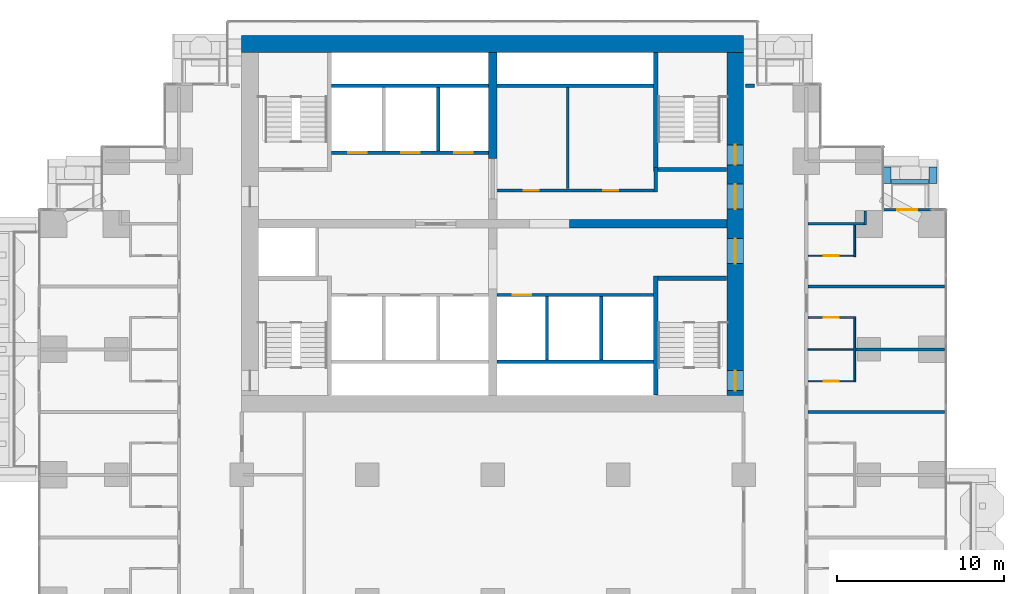
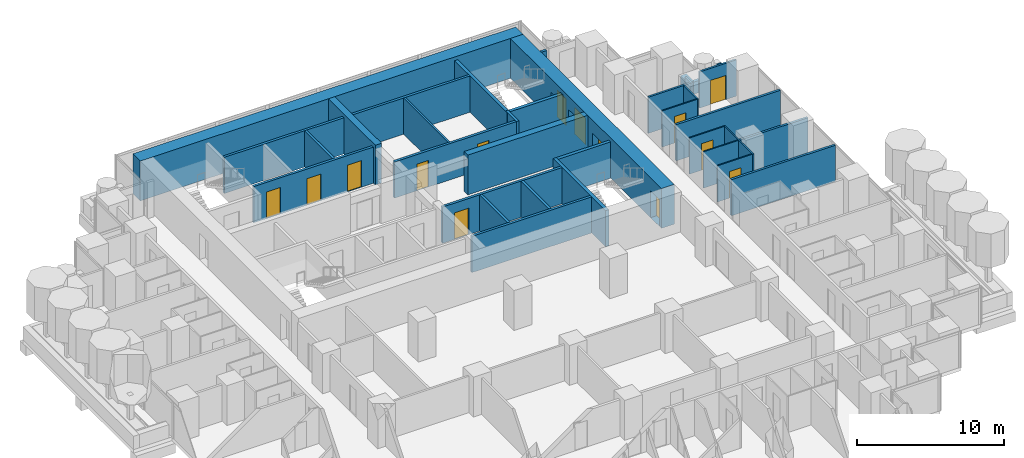
# One storey, part 14 of 18: 35 walls, 14 doors, 14 openings.
"""IFC4 building model written with IfcOpenShell, lengths in metres."""

from ifc_helpers import new_model, si_unit, direction, frame, frame_2d, origin, place, context, subcontext, project, spatial, rectangle, extrude, material, layer, layer_set, type_object, element, fill, save


model = new_model("IFC4")

# Units and contexts
model_context = context("Model", 3, precision=1e-05, world=origin(), true_north=direction((0.0, 1.0)))
body_context = subcontext(model_context, "Body", "Model", "MODEL_VIEW")
ifc_project = project(units=[si_unit("LENGTHUNIT", "METRE"), si_unit("AREAUNIT", "SQUARE_METRE"), si_unit("VOLUMEUNIT", "CUBIC_METRE"), si_unit("PLANEANGLEUNIT", "RADIAN"), si_unit("MASSUNIT", "GRAM", prefix="KILO")], contexts=[model_context])

# Site, building, storey
site_placement = place(None, origin())
site = spatial("IfcSite", under=ifc_project, at=site_placement, CompositionType="ELEMENT")
building_placement = place(site_placement, origin())
building = spatial("IfcBuilding", under=site, at=building_placement, Name="Pilkhan Gate Tower", CompositionType="ELEMENT")
storey_placement = place(building_placement, frame((0.0, 0.0, 42.800048828125)))
storey = spatial("IfcBuildingStorey", under=building, at=storey_placement, Name="L07", CompositionType="ELEMENT", Elevation=42.800048828125)

# Walls
ifc_material_1 = material(Name="Dense blockwork", Category="masonry")
ifc_layer_1 = layer(ifc_material_1, 0.175048828125)
ifc_layer_set_1 = layer_set([ifc_layer_1], Name="Acoustic party wall PW175")
wall_type_1 = type_object("IfcWallType", Name="Acoustic party wall PW175", PredefinedType="PARTITIONING", material=ifc_layer_set_1)
wall_1_placement = place(storey_placement, frame((93.85009765625, 71.25, 0.0), z_axis=(0.0, 0.0, 1.0), x_axis=(1.0, 0.0, 0.0)))
element("IfcWall", 1, at=wall_1_placement, inside=storey, type_object=wall_type_1, Name="Partition L07", PredefinedType="PARTITIONING", context=body_context, shape_type="SweptSolid", body=[
    extrude(rectangle(XDim=8.164794921875, YDim=0.175048828125, at=frame_2d((4.08251953125, 0.0))), origin(), (0.0, 0.0, 1.0), 3.0),
])
wall_2_placement = place(storey_placement, frame((96.699951171875, 75.0, 0.0), z_axis=(0.0, 0.0, 1.0), x_axis=(1.0, 0.0, 0.0)))
element("IfcWall", 2, at=wall_2_placement, inside=storey, type_object=wall_type_1, Name="Partition L07", PredefinedType="PARTITIONING", context=body_context, shape_type="SweptSolid", body=[
    extrude(rectangle(XDim=5.31494140625, YDim=0.175048828125, at=frame_2d((2.657470703125, 0.0))), origin(), (0.0, 0.0, 1.0), 3.0),
])
wall_3_placement = place(storey_placement, frame((93.85009765625, 78.75, 0.0), z_axis=(0.0, 0.0, 1.0), x_axis=(1.0, 0.0, 0.0)))
element("IfcWall", 3, at=wall_3_placement, inside=storey, type_object=wall_type_1, Name="Partition L07", PredefinedType="PARTITIONING", context=body_context, shape_type="SweptSolid", body=[
    extrude(rectangle(XDim=8.164794921875, YDim=0.175048828125, at=frame_2d((4.08251953125, 0.0))), origin(), (0.0, 0.0, 1.0), 3.0),
])
ifc_material_2 = material(Name="Concrete C40/50", Category="concrete")
ifc_layer_2 = layer(ifc_material_2, 0.25)
ifc_layer_set_2 = layer_set([ifc_layer_2], Name="Balcony planter BP250")
wall_type_2 = type_object("IfcWallType", Name="Balcony planter BP250", PredefinedType="USERDEFINED", material=ifc_layer_set_2)
wall_4_placement = place(storey_placement, frame((98.820068359375, 85.02490234375, 0.0), z_axis=(0.0, 0.0, 1.0), x_axis=(1.0, 0.0, 0.0)))
element("IfcWall", 4, at=wall_4_placement, inside=storey, type_object=wall_type_2, Name="Balcony planter L07 N", ObjectType="BALCONY PLANTER", PredefinedType="USERDEFINED", context=body_context, shape_type="SweptSolid", body=[
    extrude(rectangle(XDim=2.280029296875, YDim=0.25, at=frame_2d((1.14013671875, 0.0))), origin(), (0.0, 0.0, 1.0), 1.0),
])
ifc_material_3 = material(Name="Board-marked Concrete C40/50", Category="concrete")
ifc_layer_3 = layer(ifc_material_3, 0.449951171875)
ifc_layer_set_3 = layer_set([ifc_layer_3], Name="Balcony planter lip BL450")
wall_type_3 = type_object("IfcWallType", Name="Balcony planter lip BL450", PredefinedType="USERDEFINED", material=ifc_layer_set_3)
for number, where, z_axis, x_axis, name in (
    (5, (98.594970703125, 84.89990234375, 0.0), (0.0, 0.0, 1.0), (0.0, 1.0, 0.0), "Balcony planter L07 N"),
    (6, (101.324951171875, 84.89990234375, 0.0), (0.0, 0.0, 1.0), (0.0, 1.0, 0.0), "Balcony planter L07 N"),
):
    element("IfcWall", number, at=place(storey_placement, frame(where, z_axis=z_axis, x_axis=x_axis)), inside=storey, type_object=wall_type_3, Name=name, ObjectType="BALCONY PLANTER", PredefinedType="USERDEFINED", context=body_context, shape_type="SweptSolid", body=[
        extrude(rectangle(XDim=1.0, YDim=0.449951171875, at=frame_2d((0.5, 0.0))), origin(), (0.0, 0.0, 1.0), 1.099853515625),
    ])

# Wall, openings, doors
ifc_material_4 = material(Name="Concrete C70/85", Category="concrete")
ifc_layer_4 = layer(ifc_material_4, 1.0)
ifc_layer_set_4 = layer_set([ifc_layer_4], Name="Core wall CW1000 C70/85")
wall_type_4 = type_object("IfcWallType", Name="Core wall CW1000 C70/85", PredefinedType="SHEAR", material=ifc_layer_set_4)
wall_5_placement = place(storey_placement, frame((89.5, 72.25, 0.0), z_axis=(0.0, 0.0, 1.0), x_axis=(0.0, 1.0, 0.0)))
wall_5 = element("IfcWall", 7, at=wall_5_placement, inside=storey, type_object=wall_type_4, Name="Core wall E L07", PredefinedType="SHEAR", context=body_context, shape_type="SweptSolid", body=[
    extrude(rectangle(XDim=20.5, YDim=1.0, at=frame_2d((10.25, 0.0))), origin(), (0.0, 0.0, 1.0), 3.300048828125),
])
opening_1_placement = place(wall_5_placement, frame((0.27490234375, 0.0, 0.0)))
opening_1 = element("IfcOpeningElement", 8, at=opening_1_placement, cuts=wall_5, Name="Opening L07-03", PredefinedType="OPENING", context=body_context, shape_type="SweptSolid", body=[
    extrude(rectangle(XDim=1.199951171875, YDim=2.199951171875, at=frame_2d((0.60009765625, 1.10009765625))), frame((0.0, 0.510009765625, 0.0), z_axis=(0.0, -1.0, 0.0), x_axis=(1.0, 0.0, 0.0)), (0.0, 0.0, 1.0), 1.02001953125),
])
opening_2_placement = place(wall_5_placement, frame((13.77490234375, 0.0, 0.0)))
opening_2 = element("IfcOpeningElement", 9, at=opening_2_placement, cuts=wall_5, Name="Opening L07-05", PredefinedType="OPENING", context=body_context, shape_type="SweptSolid", body=[
    extrude(rectangle(XDim=1.199951171875, YDim=2.199951171875, at=frame_2d((0.60009765625, 1.10009765625))), frame((0.0, 0.510009765625, 0.0), z_axis=(0.0, -1.0, 0.0), x_axis=(1.0, 0.0, 0.0)), (0.0, 0.0, 1.0), 1.02001953125),
])
opening_3_placement = place(wall_5_placement, frame((7.875, 0.0, 0.0)))
opening_3 = element("IfcOpeningElement", 10, at=opening_3_placement, cuts=wall_5, Name="Opening L07-58", PredefinedType="OPENING", context=body_context, shape_type="SweptSolid", body=[
    extrude(rectangle(XDim=1.5, YDim=2.199951171875, at=frame_2d((0.75, 1.10009765625))), frame((0.0, 0.510009765625, 0.0), z_axis=(0.0, -1.0, 0.0), x_axis=(1.0, 0.0, 0.0)), (0.0, 0.0, 1.0), 1.02001953125),
])
opening_4_placement = place(wall_5_placement, frame((11.125, 0.0, 0.0)))
opening_4 = element("IfcOpeningElement", 11, at=opening_4_placement, cuts=wall_5, Name="Opening L07-60", PredefinedType="OPENING", context=body_context, shape_type="SweptSolid", body=[
    extrude(rectangle(XDim=1.5, YDim=2.199951171875, at=frame_2d((0.75, 1.10009765625))), frame((0.0, 0.510009765625, 0.0), z_axis=(0.0, -1.0, 0.0), x_axis=(1.0, 0.0, 0.0)), (0.0, 0.0, 1.0), 1.02001953125),
])
ifc_material_5 = material(Name="Steel framed glazed door, 60 minute fire resisting", Category="steel")
door_type_1 = type_object("IfcDoorType", Name="Lobby door D09 1500x2200", OperationType="DOUBLE_DOOR_SINGLE_SWING", PredefinedType="DOOR", material=ifc_material_5)
door_1_placement = place(opening_3_placement, origin())
door_1 = element("IfcDoor", 12, at=door_1_placement, inside=storey, type_object=door_type_1, Name="Core door", OperationType="DOUBLE_DOOR_SINGLE_SWING", OverallHeight=2.199951171875, OverallWidth=1.5, PredefinedType="DOOR", context=body_context, shape_type="SweptSolid", body=[
    extrude(rectangle(XDim=1.5, YDim=2.199951171875, at=frame_2d((0.75, 1.10009765625))), frame((0.0, 0.02490234375, 0.0), z_axis=(0.0, -1.0, 0.0), x_axis=(1.0, 0.0, 0.0)), (0.0, 0.0, 1.0), 0.050048828125),
])
fill(opening_3, door_1)
door_2_placement = place(opening_4_placement, origin())
door_2 = element("IfcDoor", 13, at=door_2_placement, inside=storey, type_object=door_type_1, Name="Core door", OperationType="DOUBLE_DOOR_SINGLE_SWING", OverallHeight=2.199951171875, OverallWidth=1.5, PredefinedType="DOOR", context=body_context, shape_type="SweptSolid", body=[
    extrude(rectangle(XDim=1.5, YDim=2.199951171875, at=frame_2d((0.75, 1.10009765625))), frame((0.0, 0.02490234375, 0.0), z_axis=(0.0, -1.0, 0.0), x_axis=(1.0, 0.0, 0.0)), (0.0, 0.0, 1.0), 0.050048828125),
])
fill(opening_4, door_2)
ifc_material_6 = material(Name="Steel door, 120 minute fire resisting, panic bar", Category="steel")
door_type_2 = type_object("IfcDoorType", Name="Stair door D11 1200x2200", OperationType="SINGLE_SWING_LEFT", PredefinedType="DOOR", material=ifc_material_6)
door_3_placement = place(opening_1_placement, origin())
door_3 = element("IfcDoor", 14, at=door_3_placement, inside=storey, type_object=door_type_2, Name="Stair ST1 door", OperationType="SINGLE_SWING_RIGHT", OverallHeight=2.199951171875, OverallWidth=1.199951171875, PredefinedType="DOOR", context=body_context, shape_type="SweptSolid", body=[
    extrude(rectangle(XDim=1.199951171875, YDim=2.199951171875, at=frame_2d((0.60009765625, 1.10009765625))), frame((0.0, 0.02490234375, 0.0), z_axis=(0.0, -1.0, 0.0), x_axis=(1.0, 0.0, 0.0)), (0.0, 0.0, 1.0), 0.050048828125),
])
fill(opening_1, door_3)
door_4_placement = place(opening_2_placement, origin())
door_4 = element("IfcDoor", 15, at=door_4_placement, inside=storey, type_object=door_type_2, Name="Stair ST4 door", OperationType="SINGLE_SWING_LEFT", OverallHeight=2.199951171875, OverallWidth=1.199951171875, PredefinedType="DOOR", context=body_context, shape_type="SweptSolid", body=[
    extrude(rectangle(XDim=1.199951171875, YDim=2.199951171875, at=frame_2d((0.60009765625, 1.10009765625))), frame((0.0, 0.02490234375, 0.0), z_axis=(0.0, -1.0, 0.0), x_axis=(1.0, 0.0, 0.0)), (0.0, 0.0, 1.0), 0.050048828125),
])
fill(opening_2, door_4)

# Walls
wall_6_placement = place(storey_placement, frame((90.0, 93.25, 0.0), z_axis=(0.0, 0.0, 1.0), x_axis=(-1.0, 0.0, 0.0)))
element("IfcWall", 16, at=wall_6_placement, inside=storey, type_object=wall_type_4, Name="Core wall N L07", PredefinedType="SHEAR", context=body_context, shape_type="SweptSolid", body=[
    extrude(rectangle(XDim=30.0, YDim=1.0, at=frame_2d((15.0, 0.0))), origin(), (0.0, 0.0, 1.0), 3.300048828125),
])
ifc_layer_5 = layer(ifc_material_1, 0.199951171875)
ifc_layer_set_5 = layer_set([ifc_layer_5], Name="Corridor wall FW200")
wall_type_5 = type_object("IfcWallType", Name="Corridor wall FW200", PredefinedType="PARTITIONING", material=ifc_layer_set_5)
wall_7_placement = place(storey_placement, frame((90.1201171875, 90.764892578125, 0.0), z_axis=(0.0, 0.0, 1.0), x_axis=(1.0, 0.0, 0.0)))
element("IfcWall", 17, at=wall_7_placement, inside=storey, type_object=wall_type_5, Name="Partition L07", PredefinedType="PARTITIONING", context=body_context, shape_type="SweptSolid", body=[
    extrude(rectangle(XDim=0.52490234375, YDim=0.199951171875, at=frame_2d((0.262451171875, 0.0))), origin(), (0.0, 0.0, 1.0), 3.0),
])

# Wall, opening, door
ifc_material_7 = material(Name="Pale anodised aluminium, clear laminated glazing", Category="aluminium")
ifc_layer_6 = layer(ifc_material_7, 0.14990234375)
ifc_layer_set_6 = layer_set([ifc_layer_6], Name="Facade infill wall IW150")
wall_type_6 = type_object("IfcWallType", Name="Facade infill wall IW150", PredefinedType="SOLIDWALL", material=ifc_layer_set_6)
wall_8_placement = place(storey_placement, frame((98.344970703125, 83.344970703125, 0.0), z_axis=(0.0, 0.0, 1.0), x_axis=(1.0, 0.0, 0.0)))
wall_8 = element("IfcWall", 18, at=wall_8_placement, inside=storey, type_object=wall_type_6, Name="Infill wall L07 N", PredefinedType="SOLIDWALL", context=body_context, shape_type="SweptSolid", body=[
    extrude(rectangle(XDim=2.905029296875, YDim=0.14990234375, at=frame_2d((1.45263671875, 0.0))), origin(), (0.0, 0.0, 1.0), 3.0),
])
opening_5_placement = place(wall_8_placement, frame((0.8525390625, 0.0, 0.0)))
opening_5 = element("IfcOpeningElement", 19, at=opening_5_placement, cuts=wall_8, Name="Opening D1L", PredefinedType="OPENING", context=body_context, shape_type="SweptSolid", body=[
    extrude(rectangle(XDim=1.199951171875, YDim=2.0, at=frame_2d((0.60009765625, 1.0))), frame((0.0, 0.0849609375, 0.0), z_axis=(0.0, -1.0, 0.0), x_axis=(1.0, 0.0, 0.0)), (0.0, 0.0, 1.0), 0.169921875),
])
ifc_material_8 = material(Name="Pale anodised aluminium, clear glazing", Category="aluminium")
door_type_3 = type_object("IfcDoorType", Name="Balcony door D1L 1200x2000", OperationType="SINGLE_SWING_LEFT", PredefinedType="DOOR", material=ifc_material_8)
door_5_placement = place(opening_5_placement, origin())
door_5 = element("IfcDoor", 20, at=door_5_placement, inside=storey, type_object=door_type_3, Name="Balcony door L07", OperationType="SINGLE_SWING_LEFT", OverallHeight=2.0, OverallWidth=1.199951171875, PredefinedType="DOOR", context=body_context, shape_type="SweptSolid", body=[
    extrude(rectangle(XDim=1.199951171875, YDim=2.0, at=frame_2d((0.60009765625, 1.0))), frame((0.0, 0.02490234375, 0.0), z_axis=(0.0, -1.0, 0.0), x_axis=(1.0, 0.0, 0.0)), (0.0, 0.0, 1.0), 0.050048828125),
])
fill(opening_5, door_5)

# Wall, openings, doors
ifc_layer_7 = layer(ifc_material_1, 0.199951171875)
ifc_layer_set_7 = layer_set([ifc_layer_7], Name="Lobby wall LW200")
wall_type_7 = type_object("IfcWallType", Name="Lobby wall LW200", PredefinedType="PARTITIONING", material=ifc_layer_set_7)
wall_9_placement = place(storey_placement, frame((75.10009765625, 84.5, 0.0), z_axis=(0.0, 0.0, 1.0), x_axis=(1.0, 0.0, 0.0)))
wall_9 = element("IfcWall", 21, at=wall_9_placement, inside=storey, type_object=wall_type_7, Name="Partition L07", PredefinedType="PARTITIONING", context=body_context, shape_type="SweptSolid", body=[
    extrude(rectangle(XDim=9.5498046875, YDim=0.199951171875, at=frame_2d((4.77490234375, 0.0))), origin(), (0.0, 0.0, 1.0), 3.0),
])
opening_6_placement = place(wall_9_placement, frame((1.75, 0.0, 0.0)))
opening_6 = element("IfcOpeningElement", 22, at=opening_6_placement, cuts=wall_9, Name="Opening L07-61", PredefinedType="OPENING", context=body_context, shape_type="SweptSolid", body=[
    extrude(rectangle(XDim=0.89990234375, YDim=2.199951171875, at=frame_2d((0.449951171875, 1.10009765625))), frame((0.0, 0.10986328125, 0.0), z_axis=(0.0, -1.0, 0.0), x_axis=(1.0, 0.0, 0.0)), (0.0, 0.0, 1.0), 0.219970703125),
])
opening_7_placement = place(wall_9_placement, frame((6.5, 0.0, 0.0)))
opening_7 = element("IfcOpeningElement", 23, at=opening_7_placement, cuts=wall_9, Name="Opening L07-62", PredefinedType="OPENING", context=body_context, shape_type="SweptSolid", body=[
    extrude(rectangle(XDim=0.89990234375, YDim=2.199951171875, at=frame_2d((0.449951171875, 1.10009765625))), frame((0.0, 0.10986328125, 0.0), z_axis=(0.0, -1.0, 0.0), x_axis=(1.0, 0.0, 0.0)), (0.0, 0.0, 1.0), 0.219970703125),
])
ifc_material_9 = material(Name="Timber flush door, 60 minute fire resisting, self-closing", Category="wood")
door_type_4 = type_object("IfcDoorType", Name="Store door D05 900x2200", OperationType="SINGLE_SWING_LEFT", PredefinedType="DOOR", material=ifc_material_9)
door_6_placement = place(opening_6_placement, origin())
door_6 = element("IfcDoor", 24, at=door_6_placement, inside=storey, type_object=door_type_4, Name="Store door", OperationType="SINGLE_SWING_LEFT", OverallHeight=2.199951171875, OverallWidth=0.89990234375, PredefinedType="DOOR", context=body_context, shape_type="SweptSolid", body=[
    extrude(rectangle(XDim=0.89990234375, YDim=2.199951171875, at=frame_2d((0.449951171875, 1.10009765625))), frame((0.0, 0.02490234375, 0.0), z_axis=(0.0, -1.0, 0.0), x_axis=(1.0, 0.0, 0.0)), (0.0, 0.0, 1.0), 0.050048828125),
])
fill(opening_6, door_6)
door_7_placement = place(opening_7_placement, origin())
door_7 = element("IfcDoor", 25, at=door_7_placement, inside=storey, type_object=door_type_4, Name="Store door", OperationType="SINGLE_SWING_RIGHT", OverallHeight=2.199951171875, OverallWidth=0.89990234375, PredefinedType="DOOR", context=body_context, shape_type="SweptSolid", body=[
    extrude(rectangle(XDim=0.89990234375, YDim=2.199951171875, at=frame_2d((0.449951171875, 1.10009765625))), frame((0.0, 0.02490234375, 0.0), z_axis=(0.0, -1.0, 0.0), x_axis=(1.0, 0.0, 0.0)), (0.0, 0.0, 1.0), 0.050048828125),
])
fill(opening_7, door_7)

# Walls
wall_10_placement = place(storey_placement, frame((75.260009765625, 90.75, 0.0), z_axis=(0.0, 0.0, 1.0), x_axis=(1.0, 0.0, 0.0)))
element("IfcWall", 26, at=wall_10_placement, inside=storey, type_object=wall_type_7, Name="Partition L07", PredefinedType="PARTITIONING", context=body_context, shape_type="SweptSolid", body=[
    extrude(rectangle(XDim=9.364990234375, YDim=0.199951171875, at=frame_2d((4.6826171875, 0.0))), origin(), (0.0, 0.0, 1.0), 3.0),
])
wall_11_placement = place(storey_placement, frame((84.75, 84.39990234375, 0.0), z_axis=(0.0, 0.0, 1.0), x_axis=(0.0, 1.0, 0.0)))
element("IfcWall", 27, at=wall_11_placement, inside=storey, type_object=wall_type_7, Name="Partition L07", PredefinedType="PARTITIONING", context=body_context, shape_type="SweptSolid", body=[
    extrude(rectangle(XDim=1.47509765625, YDim=0.199951171875, at=frame_2d((0.737548828125, 0.0))), origin(), (0.0, 0.0, 1.0), 3.0),
])
ifc_material_10 = material(Name="Blockwork partition, plastered both sides", Category="masonry")
ifc_layer_8 = layer(ifc_material_10, 0.14990234375)
ifc_layer_set_8 = layer_set([ifc_layer_8], Name="Partition PW150")
wall_type_8 = type_object("IfcWallType", Name="Partition PW150", PredefinedType="PARTITIONING", material=ifc_layer_set_8)
wall_12_placement = place(storey_placement, frame((93.85009765625, 82.5, 0.0), z_axis=(0.0, 0.0, 1.0), x_axis=(1.0, 0.0, 0.0)))
element("IfcWall", 28, at=wall_12_placement, inside=storey, type_object=wall_type_8, Name="Partition L07", PredefinedType="PARTITIONING", context=body_context, shape_type="SweptSolid", body=[
    extrude(rectangle(XDim=3.33984375, YDim=0.14990234375, at=frame_2d((1.669921875, 0.0))), origin(), (0.0, 0.0, 1.0), 3.0),
])
wall_13_placement = place(storey_placement, frame((79.5, 84.60009765625, 0.0), z_axis=(0.0, 0.0, 1.0), x_axis=(0.0, 1.0, 0.0)))
element("IfcWall", 29, at=wall_13_placement, inside=storey, type_object=wall_type_8, Name="Partition L07", PredefinedType="PARTITIONING", context=body_context, shape_type="SweptSolid", body=[
    extrude(rectangle(XDim=6.0498046875, YDim=0.14990234375, at=frame_2d((3.02490234375, 0.0))), origin(), (0.0, 0.0, 1.0), 3.0),
])
wall_14_placement = place(storey_placement, frame((97.264892578125, 82.425048828125, 0.0), z_axis=(0.0, 0.0, 1.0), x_axis=(0.0, 1.0, 0.0)))
element("IfcWall", 30, at=wall_14_placement, inside=storey, type_object=wall_type_8, Name="Partition L07", PredefinedType="PARTITIONING", context=body_context, shape_type="SweptSolid", body=[
    extrude(rectangle(XDim=0.83984375, YDim=0.14990234375, at=frame_2d((0.419921875, 0.0))), origin(), (0.0, 0.0, 1.0), 3.0),
])
ifc_material_11 = material(Name="Reinforced blockwork shaft wall, 120 minute fire resisting", Category="masonry")
ifc_layer_9 = layer(ifc_material_11, 0.199951171875)
ifc_layer_set_9 = layer_set([ifc_layer_9], Name="Shaft wall SW200")
wall_type_9 = type_object("IfcWallType", Name="Shaft wall SW200", PredefinedType="PARTITIONING", material=ifc_layer_set_9)
wall_15_placement = place(storey_placement, frame((75.260009765625, 74.25, 0.0), z_axis=(0.0, 0.0, 1.0), x_axis=(1.0, 0.0, 0.0)))
element("IfcWall", 31, at=wall_15_placement, inside=storey, type_object=wall_type_9, Name="Partition L07", PredefinedType="PARTITIONING", context=body_context, shape_type="SweptSolid", body=[
    extrude(rectangle(XDim=9.364990234375, YDim=0.199951171875, at=frame_2d((4.6826171875, 0.0))), origin(), (0.0, 0.0, 1.0), 3.0),
])

# Wall, opening, door
wall_16_placement = place(storey_placement, frame((75.260009765625, 78.25, 0.0), z_axis=(0.0, 0.0, 1.0), x_axis=(1.0, 0.0, 0.0)))
wall_16 = element("IfcWall", 32, at=wall_16_placement, inside=storey, type_object=wall_type_9, Name="Partition L07", PredefinedType="PARTITIONING", context=body_context, shape_type="SweptSolid", body=[
    extrude(rectangle(XDim=9.364990234375, YDim=0.199951171875, at=frame_2d((4.6826171875, 0.0))), origin(), (0.0, 0.0, 1.0), 3.0),
])
opening_8_placement = place(wall_16_placement, frame((0.949951171875, 0.0, 0.0)))
opening_8 = element("IfcOpeningElement", 33, at=opening_8_placement, cuts=wall_16, Name="Opening LD", PredefinedType="OPENING", context=body_context, shape_type="SweptSolid", body=[
    extrude(rectangle(XDim=1.10009765625, YDim=2.199951171875, at=frame_2d((0.550048828125, 1.10009765625))), frame((0.0, 0.10986328125, 0.0), z_axis=(0.0, -1.0, 0.0), x_axis=(1.0, 0.0, 0.0)), (0.0, 0.0, 1.0), 0.219970703125),
])
ifc_material_12 = material(Name="Stainless steel centre-opening landing door, 120 minute fire resisting", Category="steel")
door_type_5 = type_object("IfcDoorType", Name="Lift landing door LD 1100x2200", OperationType="DOUBLE_DOOR_SLIDING", PredefinedType="DOOR", material=ifc_material_12)
door_8_placement = place(opening_8_placement, origin())
door_8 = element("IfcDoor", 34, at=door_8_placement, inside=storey, type_object=door_type_5, Name="Landing door LR4", OperationType="DOUBLE_DOOR_SLIDING", OverallHeight=2.199951171875, OverallWidth=1.10009765625, PredefinedType="DOOR", context=body_context, shape_type="SweptSolid", body=[
    extrude(rectangle(XDim=1.10009765625, YDim=2.199951171875, at=frame_2d((0.550048828125, 1.10009765625))), frame((0.0, 0.02490234375, 0.0), z_axis=(0.0, -1.0, 0.0), x_axis=(1.0, 0.0, 0.0)), (0.0, 0.0, 1.0), 0.050048828125),
])
fill(opening_8, door_8)

# Wall, openings, doors
wall_17_placement = place(storey_placement, frame((65.375, 86.75, 0.0), z_axis=(0.0, 0.0, 1.0), x_axis=(1.0, 0.0, 0.0)))
wall_17 = element("IfcWall", 35, at=wall_17_placement, inside=storey, type_object=wall_type_9, Name="Partition L07", PredefinedType="PARTITIONING", context=body_context, shape_type="SweptSolid", body=[
    extrude(rectangle(XDim=9.364990234375, YDim=0.199951171875, at=frame_2d((4.6826171875, 0.0))), origin(), (0.0, 0.0, 1.0), 3.0),
])
opening_9_placement = place(wall_17_placement, frame((1.0, 0.0, 0.0)))
opening_9 = element("IfcOpeningElement", 36, at=opening_9_placement, cuts=wall_17, Name="Opening LD", PredefinedType="OPENING", context=body_context, shape_type="SweptSolid", body=[
    extrude(rectangle(XDim=1.10009765625, YDim=2.199951171875, at=frame_2d((0.550048828125, 1.10009765625))), frame((0.0, 0.10986328125, 0.0), z_axis=(0.0, -1.0, 0.0), x_axis=(1.0, 0.0, 0.0)), (0.0, 0.0, 1.0), 0.219970703125),
])
opening_10_placement = place(wall_17_placement, frame((4.175048828125, 0.0, 0.0)))
opening_10 = element("IfcOpeningElement", 37, at=opening_10_placement, cuts=wall_17, Name="Opening LD", PredefinedType="OPENING", context=body_context, shape_type="SweptSolid", body=[
    extrude(rectangle(XDim=1.10009765625, YDim=2.199951171875, at=frame_2d((0.550048828125, 1.10009765625))), frame((0.0, 0.10986328125, 0.0), z_axis=(0.0, -1.0, 0.0), x_axis=(1.0, 0.0, 0.0)), (0.0, 0.0, 1.0), 0.219970703125),
])
opening_11_placement = place(wall_17_placement, frame((7.324951171875, 0.0, 0.0)))
opening_11 = element("IfcOpeningElement", 38, at=opening_11_placement, cuts=wall_17, Name="Opening LD", PredefinedType="OPENING", context=body_context, shape_type="SweptSolid", body=[
    extrude(rectangle(XDim=1.10009765625, YDim=2.199951171875, at=frame_2d((0.550048828125, 1.10009765625))), frame((0.0, 0.10986328125, 0.0), z_axis=(0.0, -1.0, 0.0), x_axis=(1.0, 0.0, 0.0)), (0.0, 0.0, 1.0), 0.219970703125),
])
door_9_placement = place(opening_9_placement, origin())
door_9 = element("IfcDoor", 39, at=door_9_placement, inside=storey, type_object=door_type_5, Name="Landing door FF1", OperationType="DOUBLE_DOOR_SLIDING", OverallHeight=2.199951171875, OverallWidth=1.10009765625, PredefinedType="DOOR", context=body_context, shape_type="SweptSolid", body=[
    extrude(rectangle(XDim=1.10009765625, YDim=2.199951171875, at=frame_2d((0.550048828125, 1.10009765625))), frame((0.0, 0.02490234375, 0.0), z_axis=(0.0, -1.0, 0.0), x_axis=(1.0, 0.0, 0.0)), (0.0, 0.0, 1.0), 0.050048828125),
])
fill(opening_9, door_9)
door_10_placement = place(opening_10_placement, origin())
door_10 = element("IfcDoor", 40, at=door_10_placement, inside=storey, type_object=door_type_5, Name="Landing door FF2", OperationType="DOUBLE_DOOR_SLIDING", OverallHeight=2.199951171875, OverallWidth=1.10009765625, PredefinedType="DOOR", context=body_context, shape_type="SweptSolid", body=[
    extrude(rectangle(XDim=1.10009765625, YDim=2.199951171875, at=frame_2d((0.550048828125, 1.10009765625))), frame((0.0, 0.02490234375, 0.0), z_axis=(0.0, -1.0, 0.0), x_axis=(1.0, 0.0, 0.0)), (0.0, 0.0, 1.0), 0.050048828125),
])
fill(opening_10, door_10)
door_11_placement = place(opening_11_placement, origin())
door_11 = element("IfcDoor", 41, at=door_11_placement, inside=storey, type_object=door_type_5, Name="Landing door SV1", OperationType="DOUBLE_DOOR_SLIDING", OverallHeight=2.199951171875, OverallWidth=1.10009765625, PredefinedType="DOOR", context=body_context, shape_type="SweptSolid", body=[
    extrude(rectangle(XDim=1.10009765625, YDim=2.199951171875, at=frame_2d((0.550048828125, 1.10009765625))), frame((0.0, 0.02490234375, 0.0), z_axis=(0.0, -1.0, 0.0), x_axis=(1.0, 0.0, 0.0)), (0.0, 0.0, 1.0), 0.050048828125),
])
fill(opening_11, door_11)

# Walls
wall_18_placement = place(storey_placement, frame((65.375, 90.75, 0.0), z_axis=(0.0, 0.0, 1.0), x_axis=(1.0, 0.0, 0.0)))
element("IfcWall", 42, at=wall_18_placement, inside=storey, type_object=wall_type_9, Name="Partition L07", PredefinedType="PARTITIONING", context=body_context, shape_type="SweptSolid", body=[
    extrude(rectangle(XDim=9.364990234375, YDim=0.199951171875, at=frame_2d((4.6826171875, 0.0))), origin(), (0.0, 0.0, 1.0), 3.0),
])
for number, where, z_axis, x_axis, name in (
    (43, (71.75, 86.85009765625, 0.0), (0.0, 0.0, 1.0), (0.0, 1.0, 0.0), "Partition L07"),
    (44, (78.25, 74.35009765625, 0.0), (0.0, 0.0, 1.0), (0.0, 1.0, 0.0), "Partition L07"),
    (45, (81.5, 74.35009765625, 0.0), (0.0, 0.0, 1.0), (0.0, 1.0, 0.0), "Partition L07"),
):
    element("IfcWall", number, at=place(storey_placement, frame(where, z_axis=z_axis, x_axis=x_axis)), inside=storey, type_object=wall_type_9, Name=name, PredefinedType="PARTITIONING", context=body_context, shape_type="SweptSolid", body=[
        extrude(rectangle(XDim=3.7998046875, YDim=0.199951171875, at=frame_2d((1.89990234375, 0.0))), origin(), (0.0, 0.0, 1.0), 3.0),
    ])
ifc_layer_10 = layer(ifc_material_4, 0.5)
ifc_layer_set_10 = layer_set([ifc_layer_10], Name="Spine wall SW500 C70/85")
wall_type_10 = type_object("IfcWallType", Name="Spine wall SW500 C70/85", PredefinedType="SHEAR", material=ifc_layer_set_10)
wall_19_placement = place(storey_placement, frame((79.60009765625, 82.5, 0.0), z_axis=(0.0, 0.0, 1.0), x_axis=(1.0, 0.0, 0.0)))
element("IfcWall", 46, at=wall_19_placement, inside=storey, type_object=wall_type_10, Name="Spine wall SP-EW3 L07", PredefinedType="SHEAR", context=body_context, shape_type="SweptSolid", body=[
    extrude(rectangle(XDim=9.39990234375, YDim=0.5, at=frame_2d((4.699951171875, 0.0))), origin(), (0.0, 0.0, 1.0), 3.300048828125),
])
wall_20_placement = place(storey_placement, frame((75.0, 86.39990234375, 0.0), z_axis=(0.0, 0.0, 1.0), x_axis=(0.0, 1.0, 0.0)))
element("IfcWall", 47, at=wall_20_placement, inside=storey, type_object=wall_type_10, Name="Spine wall SP-NS-N2 L07", PredefinedType="SHEAR", context=body_context, shape_type="SweptSolid", body=[
    extrude(rectangle(XDim=6.35009765625, YDim=0.5, at=frame_2d((3.175048828125, 0.0))), origin(), (0.0, 0.0, 1.0), 3.300048828125),
])
ifc_material_13 = material(Name="Reinforced blockwork, 120 minute fire resisting", Category="masonry")
ifc_layer_11 = layer(ifc_material_13, 0.25)
ifc_layer_set_11 = layer_set([ifc_layer_11], Name="Stair enclosure wall SE250")
wall_type_11 = type_object("IfcWallType", Name="Stair enclosure wall SE250", PredefinedType="PARTITIONING", material=ifc_layer_set_11)
for number, where, z_axis, x_axis, name in (
    (48, (84.875, 79.25, 0.0), (0.0, 0.0, 1.0), (1.0, 0.0, 0.0), "Partition L07"),
    (49, (84.875, 85.75, 0.0), (0.0, 0.0, 1.0), (1.0, 0.0, 0.0), "Partition L07"),
):
    element("IfcWall", number, at=place(storey_placement, frame(where, z_axis=z_axis, x_axis=x_axis)), inside=storey, type_object=wall_type_11, Name=name, PredefinedType="PARTITIONING", context=body_context, shape_type="SweptSolid", body=[
        extrude(rectangle(XDim=4.114990234375, YDim=0.25, at=frame_2d((2.0576171875, 0.0))), origin(), (0.0, 0.0, 1.0), 3.0),
    ])
for number, where, z_axis, x_axis, name in (
    (50, (84.75, 72.260009765625, 0.0), (0.0, 0.0, 1.0), (0.0, 1.0, 0.0), "Partition L07"),
    (51, (84.75, 85.625, 0.0), (0.0, 0.0, 1.0), (0.0, 1.0, 0.0), "Partition L07"),
):
    element("IfcWall", number, at=place(storey_placement, frame(where, z_axis=z_axis, x_axis=x_axis)), inside=storey, type_object=wall_type_11, Name=name, PredefinedType="PARTITIONING", context=body_context, shape_type="SweptSolid", body=[
        extrude(rectangle(XDim=7.114990234375, YDim=0.25, at=frame_2d((3.5576171875, 0.0))), origin(), (0.0, 0.0, 1.0), 3.0),
    ])

# Wall, opening, door
ifc_material_14 = material(Name="Moisture resistant board, tiled")
ifc_layer_12 = layer(ifc_material_14, 0.10009765625)
ifc_layer_set_12 = layer_set([ifc_layer_12], Name="Wet wall PW100")
wall_type_12 = type_object("IfcWallType", Name="Wet wall PW100", PredefinedType="PARTITIONING", material=ifc_layer_set_12)
wall_21_placement = place(storey_placement, frame((93.85009765625, 73.10009765625, 0.0), z_axis=(0.0, 0.0, 1.0), x_axis=(1.0, 0.0, 0.0)))
wall_21 = element("IfcWall", 52, at=wall_21_placement, inside=storey, type_object=wall_type_12, Name="Partition L07", PredefinedType="PARTITIONING", context=body_context, shape_type="SweptSolid", body=[
    extrude(rectangle(XDim=2.75, YDim=0.10009765625, at=frame_2d((1.375, 0.0))), origin(), (0.0, 0.0, 1.0), 3.0),
])
opening_12_placement = place(wall_21_placement, frame((0.949951171875, 0.0, 0.0)))
opening_12 = element("IfcOpeningElement", 53, at=opening_12_placement, cuts=wall_21, Name="Opening L07-53", PredefinedType="OPENING", context=body_context, shape_type="SweptSolid", body=[
    extrude(rectangle(XDim=0.89990234375, YDim=2.199951171875, at=frame_2d((0.449951171875, 1.10009765625))), frame((0.0, 0.06005859375, 0.0), z_axis=(0.0, -1.0, 0.0), x_axis=(1.0, 0.0, 0.0)), (0.0, 0.0, 1.0), 0.1201171875),
])
ifc_material_15 = material(Name="Timber flush door", Category="wood")
door_type_6 = type_object("IfcDoorType", Name="Bathroom door D02 900x2200", OperationType="SINGLE_SWING_RIGHT", PredefinedType="DOOR", material=ifc_material_15)
door_12_placement = place(opening_12_placement, origin())
door_12 = element("IfcDoor", 54, at=door_12_placement, inside=storey, type_object=door_type_6, Name="Bathroom door", OperationType="SINGLE_SWING_RIGHT", OverallHeight=2.199951171875, OverallWidth=0.89990234375, PredefinedType="DOOR", context=body_context, shape_type="SweptSolid", body=[
    extrude(rectangle(XDim=0.89990234375, YDim=2.199951171875, at=frame_2d((0.449951171875, 1.10009765625))), frame((0.0, 0.02490234375, 0.0), z_axis=(0.0, -1.0, 0.0), x_axis=(1.0, 0.0, 0.0)), (0.0, 0.0, 1.0), 0.050048828125),
])
fill(opening_12, door_12)

# Wall
wall_22_placement = place(storey_placement, frame((93.85009765625, 75.0, 0.0), z_axis=(0.0, 0.0, 1.0), x_axis=(1.0, 0.0, 0.0)))
element("IfcWall", 55, at=wall_22_placement, inside=storey, type_object=wall_type_12, Name="Partition L07", PredefinedType="PARTITIONING", context=body_context, shape_type="SweptSolid", body=[
    extrude(rectangle(XDim=2.75, YDim=0.10009765625, at=frame_2d((1.375, 0.0))), origin(), (0.0, 0.0, 1.0), 3.0),
])

# Wall, opening, door
wall_23_placement = place(storey_placement, frame((93.85009765625, 76.89990234375, 0.0), z_axis=(0.0, 0.0, 1.0), x_axis=(1.0, 0.0, 0.0)))
wall_23 = element("IfcWall", 56, at=wall_23_placement, inside=storey, type_object=wall_type_12, Name="Partition L07", PredefinedType="PARTITIONING", context=body_context, shape_type="SweptSolid", body=[
    extrude(rectangle(XDim=2.75, YDim=0.10009765625, at=frame_2d((1.375, 0.0))), origin(), (0.0, 0.0, 1.0), 3.0),
])
opening_13_placement = place(wall_23_placement, frame((0.949951171875, 0.0, 0.0)))
opening_13 = element("IfcOpeningElement", 57, at=opening_13_placement, cuts=wall_23, Name="Opening L07-55", PredefinedType="OPENING", context=body_context, shape_type="SweptSolid", body=[
    extrude(rectangle(XDim=0.89990234375, YDim=2.199951171875, at=frame_2d((0.449951171875, 1.10009765625))), frame((0.0, 0.06005859375, 0.0), z_axis=(0.0, -1.0, 0.0), x_axis=(1.0, 0.0, 0.0)), (0.0, 0.0, 1.0), 0.1201171875),
])
door_13_placement = place(opening_13_placement, origin())
door_13 = element("IfcDoor", 58, at=door_13_placement, inside=storey, type_object=door_type_6, Name="Bathroom door", OperationType="SINGLE_SWING_RIGHT", OverallHeight=2.199951171875, OverallWidth=0.89990234375, PredefinedType="DOOR", context=body_context, shape_type="SweptSolid", body=[
    extrude(rectangle(XDim=0.89990234375, YDim=2.199951171875, at=frame_2d((0.449951171875, 1.10009765625))), frame((0.0, 0.02490234375, 0.0), z_axis=(0.0, -1.0, 0.0), x_axis=(1.0, 0.0, 0.0)), (0.0, 0.0, 1.0), 0.050048828125),
])
fill(opening_13, door_13)

wall_24_placement = place(storey_placement, frame((93.85009765625, 80.60009765625, 0.0), z_axis=(0.0, 0.0, 1.0), x_axis=(1.0, 0.0, 0.0)))
wall_24 = element("IfcWall", 59, at=wall_24_placement, inside=storey, type_object=wall_type_12, Name="Partition L07", PredefinedType="PARTITIONING", context=body_context, shape_type="SweptSolid", body=[
    extrude(rectangle(XDim=2.75, YDim=0.10009765625, at=frame_2d((1.375, 0.0))), origin(), (0.0, 0.0, 1.0), 3.0),
])
opening_14_placement = place(wall_24_placement, frame((0.949951171875, 0.0, 0.0)))
opening_14 = element("IfcOpeningElement", 60, at=opening_14_placement, cuts=wall_24, Name="Opening L07-57", PredefinedType="OPENING", context=body_context, shape_type="SweptSolid", body=[
    extrude(rectangle(XDim=0.89990234375, YDim=2.199951171875, at=frame_2d((0.449951171875, 1.10009765625))), frame((0.0, 0.06005859375, 0.0), z_axis=(0.0, -1.0, 0.0), x_axis=(1.0, 0.0, 0.0)), (0.0, 0.0, 1.0), 0.1201171875),
])
door_14_placement = place(opening_14_placement, origin())
door_14 = element("IfcDoor", 61, at=door_14_placement, inside=storey, type_object=door_type_6, Name="Bathroom door", OperationType="SINGLE_SWING_RIGHT", OverallHeight=2.199951171875, OverallWidth=0.89990234375, PredefinedType="DOOR", context=body_context, shape_type="SweptSolid", body=[
    extrude(rectangle(XDim=0.89990234375, YDim=2.199951171875, at=frame_2d((0.449951171875, 1.10009765625))), frame((0.0, 0.02490234375, 0.0), z_axis=(0.0, -1.0, 0.0), x_axis=(1.0, 0.0, 0.0)), (0.0, 0.0, 1.0), 0.050048828125),
])
fill(opening_14, door_14)

# Walls
wall_25_placement = place(storey_placement, frame((96.64990234375, 73.050048828125, 0.0), z_axis=(0.0, 0.0, 1.0), x_axis=(0.0, 1.0, 0.0)))
element("IfcWall", 62, at=wall_25_placement, inside=storey, type_object=wall_type_12, Name="Partition L07", PredefinedType="PARTITIONING", context=body_context, shape_type="SweptSolid", body=[
    extrude(rectangle(XDim=3.89990234375, YDim=0.10009765625, at=frame_2d((1.949951171875, 0.0))), origin(), (0.0, 0.0, 1.0), 3.0),
])
wall_26_placement = place(storey_placement, frame((96.64990234375, 80.550048828125, 0.0), z_axis=(0.0, 0.0, 1.0), x_axis=(0.0, 1.0, 0.0)))
element("IfcWall", 63, at=wall_26_placement, inside=storey, type_object=wall_type_12, Name="Partition L07", PredefinedType="PARTITIONING", context=body_context, shape_type="SweptSolid", body=[
    extrude(rectangle(XDim=1.875, YDim=0.10009765625, at=frame_2d((0.9375, 0.0))), origin(), (0.0, 0.0, 1.0), 3.0),
])

save(model, "model.ifc")
